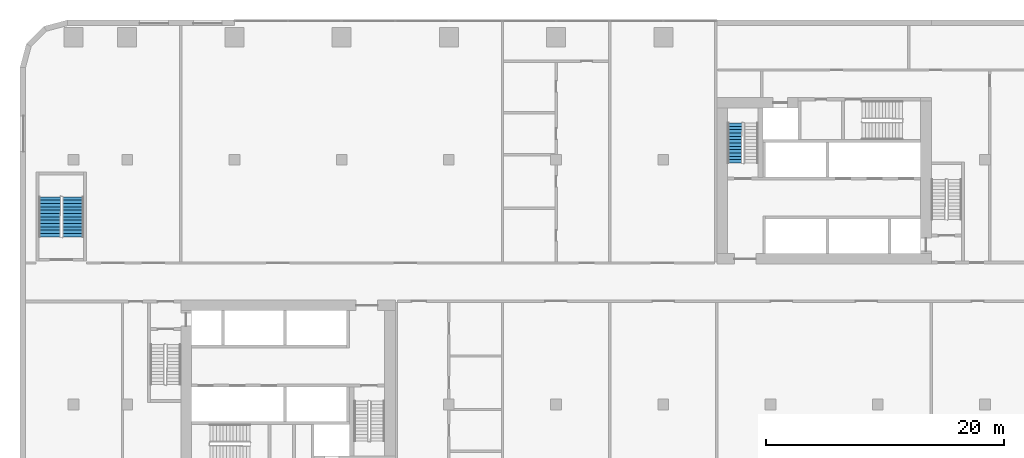
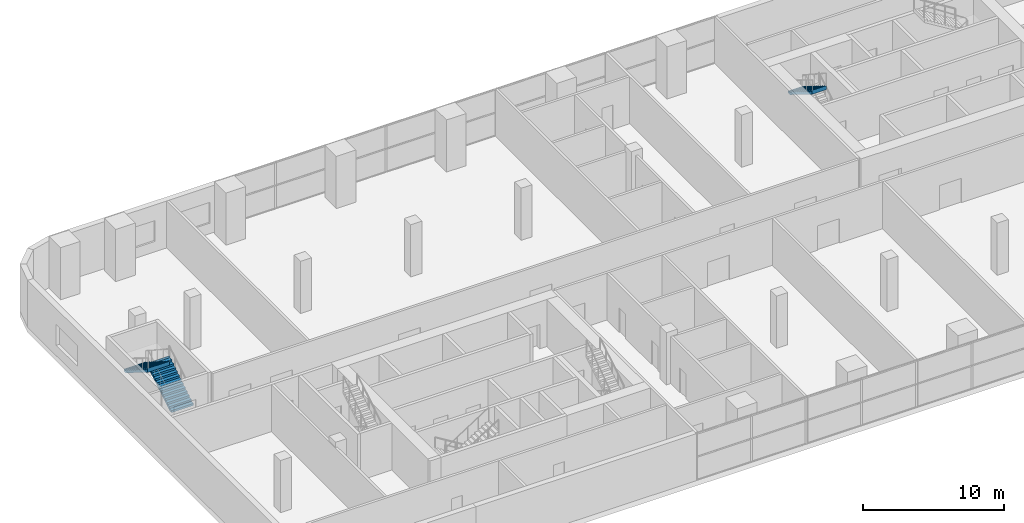
# One storey, part 14 of 19: 3 stair flights, 2 elements without a shape of their own.
"""IFC4 building model written with IfcOpenShell, lengths in metres."""

from ifc_helpers import new_model, si_unit, direction, frame, origin, place, context, subcontext, project, spatial, faceted_brep, material, type_object, element, aggregate, save


model = new_model("IFC4")

# Units and contexts
model_context = context("Model", 3, precision=1e-05, world=origin(), true_north=direction((0.0, 1.0)))
body_context = subcontext(model_context, "Body", "Model", "MODEL_VIEW")
ifc_project = project(units=[si_unit("LENGTHUNIT", "METRE"), si_unit("AREAUNIT", "SQUARE_METRE"), si_unit("VOLUMEUNIT", "CUBIC_METRE"), si_unit("PLANEANGLEUNIT", "RADIAN"), si_unit("MASSUNIT", "GRAM", prefix="KILO")], contexts=[model_context])

# Site, building, storey
site_placement = place(None, origin())
site = spatial("IfcSite", under=ifc_project, at=site_placement, CompositionType="ELEMENT")
building_placement = place(site_placement, origin())
building = spatial("IfcBuilding", under=site, at=building_placement, Name="Kajstack Hotel Tower", CompositionType="ELEMENT")
storey_placement = place(building_placement, frame((0.0, 0.0, 33.5)))
storey = spatial("IfcBuildingStorey", under=building, at=storey_placement, Name="L05", CompositionType="ELEMENT", Elevation=33.5)

# Stair, stair flights
ifc_material = material(Name="Concrete C40/50", Category="concrete")
stair_type_1 = type_object("IfcStairType", Name="Escape stair 1800", PredefinedType="HALF_TURN_STAIR", material=ifc_material)
stair_1_placement = place(storey_placement, origin())
stair_1 = element("IfcStair", 1, at=stair_1_placement, inside=storey, type_object=stair_type_1, Name="L05 stair P1", PredefinedType="HALF_TURN_STAIR")
stair_flight_type_1 = type_object("IfcStairFlightType", Name="Escape stair flight 1800", PredefinedType="STRAIGHT", material=ifc_material)
stair_flight_1_placement = place(storey_placement, frame((-40.550048828125, 3.800048828125, 0.0), z_axis=(0.0, 0.0, 1.0), x_axis=(0.0, 1.0, 0.0)))
stair_flight_1 = element("IfcStairFlight", 2, at=stair_flight_1_placement, type_object=stair_flight_type_1, Name="P1 flight 1", NumberOfRisers=13, NumberOfTreads=12, PredefinedType="STRAIGHT", RiserHeight=0.173076923, TreadLength=0.28, context=body_context, shape_type="Brep", body=[
    faceted_brep([(0.28564453125, -0.89990234375, 0.0), (3.360595703125, -0.89990234375, 1.900634765625), (3.360595703125, -0.89990234375, 2.25), (3.360107421875, -0.89990234375, 2.25), (3.360107421875, -0.89990234375, 2.076904296875), (3.080078125, -0.89990234375, 2.076904296875), (3.080078125, -0.89990234375, 1.90380859375), (2.800048828125, -0.89990234375, 1.90380859375), (2.800048828125, -0.89990234375, 1.730712890625), (2.52001953125, -0.89990234375, 1.730712890625), (2.52001953125, -0.89990234375, 1.5576171875), (2.239990234375, -0.89990234375, 1.5576171875), (2.239990234375, -0.89990234375, 1.384521484375), (1.9599609375, -0.89990234375, 1.384521484375), (1.9599609375, -0.89990234375, 1.21142578125), (1.679931640625, -0.89990234375, 1.21142578125), (1.679931640625, -0.89990234375, 1.03857421875), (1.39990234375, -0.89990234375, 1.03857421875), (1.39990234375, -0.89990234375, 0.865478515625), (1.1201171875, -0.89990234375, 0.865478515625), (1.1201171875, -0.89990234375, 0.6923828125), (0.840087890625, -0.89990234375, 0.6923828125), (0.840087890625, -0.89990234375, 0.519287109375), (0.56005859375, -0.89990234375, 0.519287109375), (0.56005859375, -0.89990234375, 0.34619140625), (0.280029296875, -0.89990234375, 0.34619140625), (0.280029296875, -0.89990234375, 0.173095703125), (-0.00048828125, -0.89990234375, 0.173095703125), (-0.00048828125, -0.89990234375, 0.0), (-0.00048828125, 0.89990234375, 0.0), (-0.00048828125, 0.89990234375, 0.173095703125), (0.280029296875, 0.89990234375, 0.173095703125), (0.280029296875, 0.89990234375, 0.34619140625), (0.56005859375, 0.89990234375, 0.34619140625), (0.56005859375, 0.89990234375, 0.519287109375), (0.840087890625, 0.89990234375, 0.519287109375), (0.840087890625, 0.89990234375, 0.6923828125), (1.1201171875, 0.89990234375, 0.6923828125), (1.1201171875, 0.89990234375, 0.865478515625), (1.39990234375, 0.89990234375, 0.865478515625), (1.39990234375, 0.89990234375, 1.03857421875), (1.679931640625, 0.89990234375, 1.03857421875), (1.679931640625, 0.89990234375, 1.21142578125), (1.9599609375, 0.89990234375, 1.21142578125), (1.9599609375, 0.89990234375, 1.384521484375), (2.239990234375, 0.89990234375, 1.384521484375), (2.239990234375, 0.89990234375, 1.5576171875), (2.52001953125, 0.89990234375, 1.5576171875), (2.52001953125, 0.89990234375, 1.730712890625), (2.800048828125, 0.89990234375, 1.730712890625), (2.800048828125, 0.89990234375, 1.90380859375), (3.080078125, 0.89990234375, 1.90380859375), (3.080078125, 0.89990234375, 2.076904296875), (3.360107421875, 0.89990234375, 2.076904296875), (3.360107421875, 0.89990234375, 2.25), (3.360595703125, 0.89990234375, 2.25), (3.360595703125, 0.89990234375, 1.900634765625), (0.28564453125, 0.89990234375, 0.0), (-0.00048828125, -0.449951171875, 0.173095703125), (-0.00048828125, 0.0, 0.173095703125), (-0.00048828125, 0.449951171875, 0.173095703125), (-0.00048828125, 0.449951171875, 0.0), (-0.00048828125, 0.0, 0.0), (-0.00048828125, -0.449951171875, 0.0), (0.280029296875, -0.449951171875, 0.173095703125), (0.280029296875, 0.0, 0.173095703125), (0.280029296875, 0.449951171875, 0.173095703125), (0.280029296875, -0.449951171875, 0.34619140625), (0.280029296875, 0.0, 0.34619140625), (0.280029296875, 0.449951171875, 0.34619140625), (0.56005859375, -0.449951171875, 0.34619140625), (0.56005859375, 0.0, 0.34619140625), (0.56005859375, 0.449951171875, 0.34619140625), (0.56005859375, -0.449951171875, 0.519287109375), (0.56005859375, 0.0, 0.519287109375), (0.56005859375, 0.449951171875, 0.519287109375), (0.840087890625, -0.449951171875, 0.519287109375), (0.840087890625, 0.0, 0.519287109375), (0.840087890625, 0.449951171875, 0.519287109375), (0.840087890625, -0.449951171875, 0.6923828125), (0.840087890625, 0.0, 0.6923828125), (0.840087890625, 0.449951171875, 0.6923828125), (1.1201171875, -0.449951171875, 0.6923828125), (1.1201171875, 0.0, 0.6923828125), (1.1201171875, 0.449951171875, 0.6923828125), (1.1201171875, -0.449951171875, 0.865478515625), (1.1201171875, 0.0, 0.865478515625), (1.1201171875, 0.449951171875, 0.865478515625), (1.39990234375, -0.449951171875, 0.865478515625), (1.39990234375, 0.0, 0.865478515625), (1.39990234375, 0.449951171875, 0.865478515625), (1.39990234375, -0.449951171875, 1.03857421875), (1.39990234375, 0.0, 1.03857421875), (1.39990234375, 0.449951171875, 1.03857421875), (1.679931640625, -0.449951171875, 1.03857421875), (1.679931640625, 0.0, 1.03857421875), (1.679931640625, 0.449951171875, 1.03857421875), (1.679931640625, -0.449951171875, 1.21142578125), (1.679931640625, 0.0, 1.21142578125), (1.679931640625, 0.449951171875, 1.21142578125), (1.9599609375, -0.449951171875, 1.21142578125), (1.9599609375, 0.0, 1.21142578125), (1.9599609375, 0.449951171875, 1.21142578125), (1.9599609375, -0.449951171875, 1.384521484375), (1.9599609375, 0.0, 1.384521484375), (1.9599609375, 0.449951171875, 1.384521484375), (2.239990234375, -0.449951171875, 1.384521484375), (2.239990234375, 0.0, 1.384521484375), (2.239990234375, 0.449951171875, 1.384521484375), (2.239990234375, -0.449951171875, 1.5576171875), (2.239990234375, 0.0, 1.5576171875), (2.239990234375, 0.449951171875, 1.5576171875), (2.52001953125, -0.449951171875, 1.5576171875), (2.52001953125, 0.0, 1.5576171875), (2.52001953125, 0.449951171875, 1.5576171875), (2.52001953125, -0.449951171875, 1.730712890625), (2.52001953125, 0.0, 1.730712890625), (2.52001953125, 0.449951171875, 1.730712890625), (2.800048828125, -0.449951171875, 1.730712890625), (2.800048828125, 0.0, 1.730712890625), (2.800048828125, 0.449951171875, 1.730712890625), (2.800048828125, -0.449951171875, 1.90380859375), (2.800048828125, 0.0, 1.90380859375), (2.800048828125, 0.449951171875, 1.90380859375), (3.080078125, -0.449951171875, 1.90380859375), (3.080078125, 0.0, 1.90380859375), (3.080078125, 0.449951171875, 1.90380859375), (3.080078125, -0.449951171875, 2.076904296875), (3.080078125, 0.0, 2.076904296875), (3.080078125, 0.449951171875, 2.076904296875), (3.360107421875, -0.449951171875, 2.076904296875), (3.360107421875, 0.0, 2.076904296875), (3.360107421875, 0.449951171875, 2.076904296875), (3.360107421875, -0.449951171875, 2.25), (3.360107421875, 0.0, 2.25), (3.360107421875, 0.449951171875, 2.25), (3.360595703125, -0.449951171875, 2.25), (3.360595703125, 0.0, 2.25), (3.360595703125, 0.449951171875, 2.25), (3.360595703125, -0.449951171875, 1.900634765625), (3.360595703125, 0.0, 1.900634765625), (3.360595703125, 0.449951171875, 1.900634765625), (0.28564453125, -0.449951171875, 0.0), (0.28564453125, 0.0, 0.0), (0.28564453125, 0.449951171875, 0.0)], [[[0, 1, 2, 3, 4, 5, 6, 7, 8, 9, 10, 11, 12, 13, 14, 15, 16, 17, 18, 19, 20, 21, 22, 23, 24, 25, 26, 27, 28]], [[29, 30, 31, 32, 33, 34, 35, 36, 37, 38, 39, 40, 41, 42, 43, 44, 45, 46, 47, 48, 49, 50, 51, 52, 53, 54, 55, 56, 57]], [[27, 58, 59, 60, 30, 29, 61, 62, 63, 28]], [[26, 64, 65, 66, 31, 30, 60, 59, 58, 27]], [[25, 67, 68, 69, 32, 31, 66, 65, 64, 26]], [[24, 70, 71, 72, 33, 32, 69, 68, 67, 25]], [[23, 73, 74, 75, 34, 33, 72, 71, 70, 24]], [[22, 76, 77, 78, 35, 34, 75, 74, 73, 23]], [[21, 79, 80, 81, 36, 35, 78, 77, 76, 22]], [[20, 82, 83, 84, 37, 36, 81, 80, 79, 21]], [[19, 85, 86, 87, 38, 37, 84, 83, 82, 20]], [[18, 88, 89, 90, 39, 38, 87, 86, 85, 19]], [[17, 91, 92, 93, 40, 39, 90, 89, 88, 18]], [[16, 94, 95, 96, 41, 40, 93, 92, 91, 17]], [[15, 97, 98, 99, 42, 41, 96, 95, 94, 16]], [[14, 100, 101, 102, 43, 42, 99, 98, 97, 15]], [[13, 103, 104, 105, 44, 43, 102, 101, 100, 14]], [[12, 106, 107, 108, 45, 44, 105, 104, 103, 13]], [[11, 109, 110, 111, 46, 45, 108, 107, 106, 12]], [[10, 112, 113, 114, 47, 46, 111, 110, 109, 11]], [[9, 115, 116, 117, 48, 47, 114, 113, 112, 10]], [[8, 118, 119, 120, 49, 48, 117, 116, 115, 9]], [[7, 121, 122, 123, 50, 49, 120, 119, 118, 8]], [[6, 124, 125, 126, 51, 50, 123, 122, 121, 7]], [[5, 127, 128, 129, 52, 51, 126, 125, 124, 6]], [[4, 130, 131, 132, 53, 52, 129, 128, 127, 5]], [[3, 133, 134, 135, 54, 53, 132, 131, 130, 4]], [[2, 136, 137, 138, 55, 54, 135, 134, 133, 3]], [[1, 139, 140, 141, 56, 55, 138, 137, 136, 2]], [[0, 142, 143, 144, 57, 56, 141, 140, 139, 1]], [[28, 63, 62, 61, 29, 57, 144, 143, 142, 0]]]),
])
stair_flight_2_placement = place(storey_placement, frame((-42.5, 7.159912109375, 2.25), z_axis=(0.0, 0.0, 1.0), x_axis=(0.0, -1.0, 0.0)))
stair_flight_2 = element("IfcStairFlight", 3, at=stair_flight_2_placement, type_object=stair_flight_type_1, Name="P1 flight 2", NumberOfRisers=13, NumberOfTreads=12, PredefinedType="STRAIGHT", RiserHeight=0.173076923, TreadLength=0.28, context=body_context, shape_type="Brep", body=[
    faceted_brep([(0.28564453125, -0.89990234375, 0.0), (3.360595703125, -0.89990234375, 1.900634765625), (3.360595703125, -0.89990234375, 2.25), (3.360107421875, -0.89990234375, 2.25), (3.360107421875, -0.89990234375, 2.076904296875), (3.080078125, -0.89990234375, 2.076904296875), (3.080078125, -0.89990234375, 1.90380859375), (2.800048828125, -0.89990234375, 1.90380859375), (2.800048828125, -0.89990234375, 1.730712890625), (2.52001953125, -0.89990234375, 1.730712890625), (2.52001953125, -0.89990234375, 1.5576171875), (2.239990234375, -0.89990234375, 1.5576171875), (2.239990234375, -0.89990234375, 1.384521484375), (1.9599609375, -0.89990234375, 1.384521484375), (1.9599609375, -0.89990234375, 1.21142578125), (1.679931640625, -0.89990234375, 1.21142578125), (1.679931640625, -0.89990234375, 1.03857421875), (1.39990234375, -0.89990234375, 1.03857421875), (1.39990234375, -0.89990234375, 0.865478515625), (1.1201171875, -0.89990234375, 0.865478515625), (1.1201171875, -0.89990234375, 0.6923828125), (0.840087890625, -0.89990234375, 0.6923828125), (0.840087890625, -0.89990234375, 0.519287109375), (0.56005859375, -0.89990234375, 0.519287109375), (0.56005859375, -0.89990234375, 0.34619140625), (0.280029296875, -0.89990234375, 0.34619140625), (0.280029296875, -0.89990234375, 0.173095703125), (-0.00048828125, -0.89990234375, 0.173095703125), (-0.00048828125, -0.89990234375, 0.0), (-0.00048828125, 0.89990234375, 0.0), (-0.00048828125, 0.89990234375, 0.173095703125), (0.280029296875, 0.89990234375, 0.173095703125), (0.280029296875, 0.89990234375, 0.34619140625), (0.56005859375, 0.89990234375, 0.34619140625), (0.56005859375, 0.89990234375, 0.519287109375), (0.840087890625, 0.89990234375, 0.519287109375), (0.840087890625, 0.89990234375, 0.6923828125), (1.1201171875, 0.89990234375, 0.6923828125), (1.1201171875, 0.89990234375, 0.865478515625), (1.39990234375, 0.89990234375, 0.865478515625), (1.39990234375, 0.89990234375, 1.03857421875), (1.679931640625, 0.89990234375, 1.03857421875), (1.679931640625, 0.89990234375, 1.21142578125), (1.9599609375, 0.89990234375, 1.21142578125), (1.9599609375, 0.89990234375, 1.384521484375), (2.239990234375, 0.89990234375, 1.384521484375), (2.239990234375, 0.89990234375, 1.5576171875), (2.52001953125, 0.89990234375, 1.5576171875), (2.52001953125, 0.89990234375, 1.730712890625), (2.800048828125, 0.89990234375, 1.730712890625), (2.800048828125, 0.89990234375, 1.90380859375), (3.080078125, 0.89990234375, 1.90380859375), (3.080078125, 0.89990234375, 2.076904296875), (3.360107421875, 0.89990234375, 2.076904296875), (3.360107421875, 0.89990234375, 2.25), (3.360595703125, 0.89990234375, 2.25), (3.360595703125, 0.89990234375, 1.900634765625), (0.28564453125, 0.89990234375, 0.0), (-0.00048828125, -0.449951171875, 0.173095703125), (-0.00048828125, 0.0, 0.173095703125), (-0.00048828125, 0.449951171875, 0.173095703125), (-0.00048828125, 0.449951171875, 0.0), (-0.00048828125, 0.0, 0.0), (-0.00048828125, -0.449951171875, 0.0), (0.280029296875, -0.449951171875, 0.173095703125), (0.280029296875, 0.0, 0.173095703125), (0.280029296875, 0.449951171875, 0.173095703125), (0.280029296875, -0.449951171875, 0.34619140625), (0.280029296875, 0.0, 0.34619140625), (0.280029296875, 0.449951171875, 0.34619140625), (0.56005859375, -0.449951171875, 0.34619140625), (0.56005859375, 0.0, 0.34619140625), (0.56005859375, 0.449951171875, 0.34619140625), (0.56005859375, -0.449951171875, 0.519287109375), (0.56005859375, 0.0, 0.519287109375), (0.56005859375, 0.449951171875, 0.519287109375), (0.840087890625, -0.449951171875, 0.519287109375), (0.840087890625, 0.0, 0.519287109375), (0.840087890625, 0.449951171875, 0.519287109375), (0.840087890625, -0.449951171875, 0.6923828125), (0.840087890625, 0.0, 0.6923828125), (0.840087890625, 0.449951171875, 0.6923828125), (1.1201171875, -0.449951171875, 0.6923828125), (1.1201171875, 0.0, 0.6923828125), (1.1201171875, 0.449951171875, 0.6923828125), (1.1201171875, -0.449951171875, 0.865478515625), (1.1201171875, 0.0, 0.865478515625), (1.1201171875, 0.449951171875, 0.865478515625), (1.39990234375, -0.449951171875, 0.865478515625), (1.39990234375, 0.0, 0.865478515625), (1.39990234375, 0.449951171875, 0.865478515625), (1.39990234375, -0.449951171875, 1.03857421875), (1.39990234375, 0.0, 1.03857421875), (1.39990234375, 0.449951171875, 1.03857421875), (1.679931640625, -0.449951171875, 1.03857421875), (1.679931640625, 0.0, 1.03857421875), (1.679931640625, 0.449951171875, 1.03857421875), (1.679931640625, -0.449951171875, 1.21142578125), (1.679931640625, 0.0, 1.21142578125), (1.679931640625, 0.449951171875, 1.21142578125), (1.9599609375, -0.449951171875, 1.21142578125), (1.9599609375, 0.0, 1.21142578125), (1.9599609375, 0.449951171875, 1.21142578125), (1.9599609375, -0.449951171875, 1.384521484375), (1.9599609375, 0.0, 1.384521484375), (1.9599609375, 0.449951171875, 1.384521484375), (2.239990234375, -0.449951171875, 1.384521484375), (2.239990234375, 0.0, 1.384521484375), (2.239990234375, 0.449951171875, 1.384521484375), (2.239990234375, -0.449951171875, 1.5576171875), (2.239990234375, 0.0, 1.5576171875), (2.239990234375, 0.449951171875, 1.5576171875), (2.52001953125, -0.449951171875, 1.5576171875), (2.52001953125, 0.0, 1.5576171875), (2.52001953125, 0.449951171875, 1.5576171875), (2.52001953125, -0.449951171875, 1.730712890625), (2.52001953125, 0.0, 1.730712890625), (2.52001953125, 0.449951171875, 1.730712890625), (2.800048828125, -0.449951171875, 1.730712890625), (2.800048828125, 0.0, 1.730712890625), (2.800048828125, 0.449951171875, 1.730712890625), (2.800048828125, -0.449951171875, 1.90380859375), (2.800048828125, 0.0, 1.90380859375), (2.800048828125, 0.449951171875, 1.90380859375), (3.080078125, -0.449951171875, 1.90380859375), (3.080078125, 0.0, 1.90380859375), (3.080078125, 0.449951171875, 1.90380859375), (3.080078125, -0.449951171875, 2.076904296875), (3.080078125, 0.0, 2.076904296875), (3.080078125, 0.449951171875, 2.076904296875), (3.360107421875, -0.449951171875, 2.076904296875), (3.360107421875, 0.0, 2.076904296875), (3.360107421875, 0.449951171875, 2.076904296875), (3.360107421875, -0.449951171875, 2.25), (3.360107421875, 0.0, 2.25), (3.360107421875, 0.449951171875, 2.25), (3.360595703125, -0.449951171875, 2.25), (3.360595703125, 0.0, 2.25), (3.360595703125, 0.449951171875, 2.25), (3.360595703125, -0.449951171875, 1.900634765625), (3.360595703125, 0.0, 1.900634765625), (3.360595703125, 0.449951171875, 1.900634765625), (0.28564453125, -0.449951171875, 0.0), (0.28564453125, 0.0, 0.0), (0.28564453125, 0.449951171875, 0.0)], [[[0, 1, 2, 3, 4, 5, 6, 7, 8, 9, 10, 11, 12, 13, 14, 15, 16, 17, 18, 19, 20, 21, 22, 23, 24, 25, 26, 27, 28]], [[29, 30, 31, 32, 33, 34, 35, 36, 37, 38, 39, 40, 41, 42, 43, 44, 45, 46, 47, 48, 49, 50, 51, 52, 53, 54, 55, 56, 57]], [[27, 58, 59, 60, 30, 29, 61, 62, 63, 28]], [[26, 64, 65, 66, 31, 30, 60, 59, 58, 27]], [[25, 67, 68, 69, 32, 31, 66, 65, 64, 26]], [[24, 70, 71, 72, 33, 32, 69, 68, 67, 25]], [[23, 73, 74, 75, 34, 33, 72, 71, 70, 24]], [[22, 76, 77, 78, 35, 34, 75, 74, 73, 23]], [[21, 79, 80, 81, 36, 35, 78, 77, 76, 22]], [[20, 82, 83, 84, 37, 36, 81, 80, 79, 21]], [[19, 85, 86, 87, 38, 37, 84, 83, 82, 20]], [[18, 88, 89, 90, 39, 38, 87, 86, 85, 19]], [[17, 91, 92, 93, 40, 39, 90, 89, 88, 18]], [[16, 94, 95, 96, 41, 40, 93, 92, 91, 17]], [[15, 97, 98, 99, 42, 41, 96, 95, 94, 16]], [[14, 100, 101, 102, 43, 42, 99, 98, 97, 15]], [[13, 103, 104, 105, 44, 43, 102, 101, 100, 14]], [[12, 106, 107, 108, 45, 44, 105, 104, 103, 13]], [[11, 109, 110, 111, 46, 45, 108, 107, 106, 12]], [[10, 112, 113, 114, 47, 46, 111, 110, 109, 11]], [[9, 115, 116, 117, 48, 47, 114, 113, 112, 10]], [[8, 118, 119, 120, 49, 48, 117, 116, 115, 9]], [[7, 121, 122, 123, 50, 49, 120, 119, 118, 8]], [[6, 124, 125, 126, 51, 50, 123, 122, 121, 7]], [[5, 127, 128, 129, 52, 51, 126, 125, 124, 6]], [[4, 130, 131, 132, 53, 52, 129, 128, 127, 5]], [[3, 133, 134, 135, 54, 53, 132, 131, 130, 4]], [[2, 136, 137, 138, 55, 54, 135, 134, 133, 3]], [[1, 139, 140, 141, 56, 55, 138, 137, 136, 2]], [[0, 142, 143, 144, 57, 56, 141, 140, 139, 1]], [[28, 63, 62, 61, 29, 57, 144, 143, 142, 0]]]),
])
aggregate(stair_1, [stair_flight_1, stair_flight_2])

# Stair, stair flight
stair_type_2 = type_object("IfcStairType", Name="Exit stair 1200", PredefinedType="HALF_TURN_STAIR", material=ifc_material)
stair_2_placement = place(storey_placement, origin())
stair_2 = element("IfcStair", 4, at=stair_2_placement, inside=storey, type_object=stair_type_2, Name="L05 stair E2", PredefinedType="HALF_TURN_STAIR")
stair_flight_type_2 = type_object("IfcStairFlightType", Name="Exit stair flight 1200", PredefinedType="STRAIGHT", material=ifc_material)
stair_flight_3_placement = place(storey_placement, frame((15.0, 13.360107421875, 2.25), z_axis=(0.0, 0.0, 1.0), x_axis=(0.0, -1.0, 0.0)))
stair_flight_3 = element("IfcStairFlight", 5, at=stair_flight_3_placement, type_object=stair_flight_type_2, Name="E2 flight 2", NumberOfRisers=13, NumberOfTreads=12, PredefinedType="STRAIGHT", RiserHeight=0.173076923, TreadLength=0.28, context=body_context, shape_type="Brep", body=[
    faceted_brep([(0.28564453125, -0.60009765625, 0.0), (3.360595703125, -0.60009765625, 1.900634765625), (3.360595703125, -0.60009765625, 2.25), (3.360107421875, -0.60009765625, 2.25), (3.360107421875, -0.60009765625, 2.076904296875), (3.080078125, -0.60009765625, 2.076904296875), (3.080078125, -0.60009765625, 1.90380859375), (2.800048828125, -0.60009765625, 1.90380859375), (2.800048828125, -0.60009765625, 1.730712890625), (2.52001953125, -0.60009765625, 1.730712890625), (2.52001953125, -0.60009765625, 1.5576171875), (2.239990234375, -0.60009765625, 1.5576171875), (2.239990234375, -0.60009765625, 1.384521484375), (1.9599609375, -0.60009765625, 1.384521484375), (1.9599609375, -0.60009765625, 1.21142578125), (1.679931640625, -0.60009765625, 1.21142578125), (1.679931640625, -0.60009765625, 1.03857421875), (1.39990234375, -0.60009765625, 1.03857421875), (1.39990234375, -0.60009765625, 0.865478515625), (1.1201171875, -0.60009765625, 0.865478515625), (1.1201171875, -0.60009765625, 0.6923828125), (0.840087890625, -0.60009765625, 0.6923828125), (0.840087890625, -0.60009765625, 0.519287109375), (0.56005859375, -0.60009765625, 0.519287109375), (0.56005859375, -0.60009765625, 0.34619140625), (0.280029296875, -0.60009765625, 0.34619140625), (0.280029296875, -0.60009765625, 0.173095703125), (-0.00048828125, -0.60009765625, 0.173095703125), (-0.00048828125, -0.60009765625, 0.0), (-0.00048828125, 0.60009765625, 0.0), (-0.00048828125, 0.60009765625, 0.173095703125), (0.280029296875, 0.60009765625, 0.173095703125), (0.280029296875, 0.60009765625, 0.34619140625), (0.56005859375, 0.60009765625, 0.34619140625), (0.56005859375, 0.60009765625, 0.519287109375), (0.840087890625, 0.60009765625, 0.519287109375), (0.840087890625, 0.60009765625, 0.6923828125), (1.1201171875, 0.60009765625, 0.6923828125), (1.1201171875, 0.60009765625, 0.865478515625), (1.39990234375, 0.60009765625, 0.865478515625), (1.39990234375, 0.60009765625, 1.03857421875), (1.679931640625, 0.60009765625, 1.03857421875), (1.679931640625, 0.60009765625, 1.21142578125), (1.9599609375, 0.60009765625, 1.21142578125), (1.9599609375, 0.60009765625, 1.384521484375), (2.239990234375, 0.60009765625, 1.384521484375), (2.239990234375, 0.60009765625, 1.5576171875), (2.52001953125, 0.60009765625, 1.5576171875), (2.52001953125, 0.60009765625, 1.730712890625), (2.800048828125, 0.60009765625, 1.730712890625), (2.800048828125, 0.60009765625, 1.90380859375), (3.080078125, 0.60009765625, 1.90380859375), (3.080078125, 0.60009765625, 2.076904296875), (3.360107421875, 0.60009765625, 2.076904296875), (3.360107421875, 0.60009765625, 2.25), (3.360595703125, 0.60009765625, 2.25), (3.360595703125, 0.60009765625, 1.900634765625), (0.28564453125, 0.60009765625, 0.0), (-0.00048828125, -0.300048828125, 0.173095703125), (-0.00048828125, 0.0, 0.173095703125), (-0.00048828125, 0.300048828125, 0.173095703125), (-0.00048828125, 0.300048828125, 0.0), (-0.00048828125, 0.0, 0.0), (-0.00048828125, -0.300048828125, 0.0), (0.280029296875, -0.300048828125, 0.173095703125), (0.280029296875, 0.0, 0.173095703125), (0.280029296875, 0.300048828125, 0.173095703125), (0.280029296875, -0.300048828125, 0.34619140625), (0.280029296875, 0.0, 0.34619140625), (0.280029296875, 0.300048828125, 0.34619140625), (0.56005859375, -0.300048828125, 0.34619140625), (0.56005859375, 0.0, 0.34619140625), (0.56005859375, 0.300048828125, 0.34619140625), (0.56005859375, -0.300048828125, 0.519287109375), (0.56005859375, 0.0, 0.519287109375), (0.56005859375, 0.300048828125, 0.519287109375), (0.840087890625, -0.300048828125, 0.519287109375), (0.840087890625, 0.0, 0.519287109375), (0.840087890625, 0.300048828125, 0.519287109375), (0.840087890625, -0.300048828125, 0.6923828125), (0.840087890625, 0.0, 0.6923828125), (0.840087890625, 0.300048828125, 0.6923828125), (1.1201171875, -0.300048828125, 0.6923828125), (1.1201171875, 0.0, 0.6923828125), (1.1201171875, 0.300048828125, 0.6923828125), (1.1201171875, -0.300048828125, 0.865478515625), (1.1201171875, 0.0, 0.865478515625), (1.1201171875, 0.300048828125, 0.865478515625), (1.39990234375, -0.300048828125, 0.865478515625), (1.39990234375, 0.0, 0.865478515625), (1.39990234375, 0.300048828125, 0.865478515625), (1.39990234375, -0.300048828125, 1.03857421875), (1.39990234375, 0.0, 1.03857421875), (1.39990234375, 0.300048828125, 1.03857421875), (1.679931640625, -0.300048828125, 1.03857421875), (1.679931640625, 0.0, 1.03857421875), (1.679931640625, 0.300048828125, 1.03857421875), (1.679931640625, -0.300048828125, 1.21142578125), (1.679931640625, 0.0, 1.21142578125), (1.679931640625, 0.300048828125, 1.21142578125), (1.9599609375, -0.300048828125, 1.21142578125), (1.9599609375, 0.0, 1.21142578125), (1.9599609375, 0.300048828125, 1.21142578125), (1.9599609375, -0.300048828125, 1.384521484375), (1.9599609375, 0.0, 1.384521484375), (1.9599609375, 0.300048828125, 1.384521484375), (2.239990234375, -0.300048828125, 1.384521484375), (2.239990234375, 0.0, 1.384521484375), (2.239990234375, 0.300048828125, 1.384521484375), (2.239990234375, -0.300048828125, 1.5576171875), (2.239990234375, 0.0, 1.5576171875), (2.239990234375, 0.300048828125, 1.5576171875), (2.52001953125, -0.300048828125, 1.5576171875), (2.52001953125, 0.0, 1.5576171875), (2.52001953125, 0.300048828125, 1.5576171875), (2.52001953125, -0.300048828125, 1.730712890625), (2.52001953125, 0.0, 1.730712890625), (2.52001953125, 0.300048828125, 1.730712890625), (2.800048828125, -0.300048828125, 1.730712890625), (2.800048828125, 0.0, 1.730712890625), (2.800048828125, 0.300048828125, 1.730712890625), (2.800048828125, -0.300048828125, 1.90380859375), (2.800048828125, 0.0, 1.90380859375), (2.800048828125, 0.300048828125, 1.90380859375), (3.080078125, -0.300048828125, 1.90380859375), (3.080078125, 0.0, 1.90380859375), (3.080078125, 0.300048828125, 1.90380859375), (3.080078125, -0.300048828125, 2.076904296875), (3.080078125, 0.0, 2.076904296875), (3.080078125, 0.300048828125, 2.076904296875), (3.360107421875, -0.300048828125, 2.076904296875), (3.360107421875, 0.0, 2.076904296875), (3.360107421875, 0.300048828125, 2.076904296875), (3.360107421875, -0.300048828125, 2.25), (3.360107421875, 0.0, 2.25), (3.360107421875, 0.300048828125, 2.25), (3.360595703125, -0.300048828125, 2.25), (3.360595703125, 0.0, 2.25), (3.360595703125, 0.300048828125, 2.25), (3.360595703125, -0.300048828125, 1.900634765625), (3.360595703125, 0.0, 1.900634765625), (3.360595703125, 0.300048828125, 1.900634765625), (0.28564453125, -0.300048828125, 0.0), (0.28564453125, 0.0, 0.0), (0.28564453125, 0.300048828125, 0.0)], [[[0, 1, 2, 3, 4, 5, 6, 7, 8, 9, 10, 11, 12, 13, 14, 15, 16, 17, 18, 19, 20, 21, 22, 23, 24, 25, 26, 27, 28]], [[29, 30, 31, 32, 33, 34, 35, 36, 37, 38, 39, 40, 41, 42, 43, 44, 45, 46, 47, 48, 49, 50, 51, 52, 53, 54, 55, 56, 57]], [[27, 58, 59, 60, 30, 29, 61, 62, 63, 28]], [[26, 64, 65, 66, 31, 30, 60, 59, 58, 27]], [[25, 67, 68, 69, 32, 31, 66, 65, 64, 26]], [[24, 70, 71, 72, 33, 32, 69, 68, 67, 25]], [[23, 73, 74, 75, 34, 33, 72, 71, 70, 24]], [[22, 76, 77, 78, 35, 34, 75, 74, 73, 23]], [[21, 79, 80, 81, 36, 35, 78, 77, 76, 22]], [[20, 82, 83, 84, 37, 36, 81, 80, 79, 21]], [[19, 85, 86, 87, 38, 37, 84, 83, 82, 20]], [[18, 88, 89, 90, 39, 38, 87, 86, 85, 19]], [[17, 91, 92, 93, 40, 39, 90, 89, 88, 18]], [[16, 94, 95, 96, 41, 40, 93, 92, 91, 17]], [[15, 97, 98, 99, 42, 41, 96, 95, 94, 16]], [[14, 100, 101, 102, 43, 42, 99, 98, 97, 15]], [[13, 103, 104, 105, 44, 43, 102, 101, 100, 14]], [[12, 106, 107, 108, 45, 44, 105, 104, 103, 13]], [[11, 109, 110, 111, 46, 45, 108, 107, 106, 12]], [[10, 112, 113, 114, 47, 46, 111, 110, 109, 11]], [[9, 115, 116, 117, 48, 47, 114, 113, 112, 10]], [[8, 118, 119, 120, 49, 48, 117, 116, 115, 9]], [[7, 121, 122, 123, 50, 49, 120, 119, 118, 8]], [[6, 124, 125, 126, 51, 50, 123, 122, 121, 7]], [[5, 127, 128, 129, 52, 51, 126, 125, 124, 6]], [[4, 130, 131, 132, 53, 52, 129, 128, 127, 5]], [[3, 133, 134, 135, 54, 53, 132, 131, 130, 4]], [[2, 136, 137, 138, 55, 54, 135, 134, 133, 3]], [[1, 139, 140, 141, 56, 55, 138, 137, 136, 2]], [[0, 142, 143, 144, 57, 56, 141, 140, 139, 1]], [[28, 63, 62, 61, 29, 57, 144, 143, 142, 0]]]),
])
aggregate(stair_2, [stair_flight_3])

save(model, "model.ifc")
